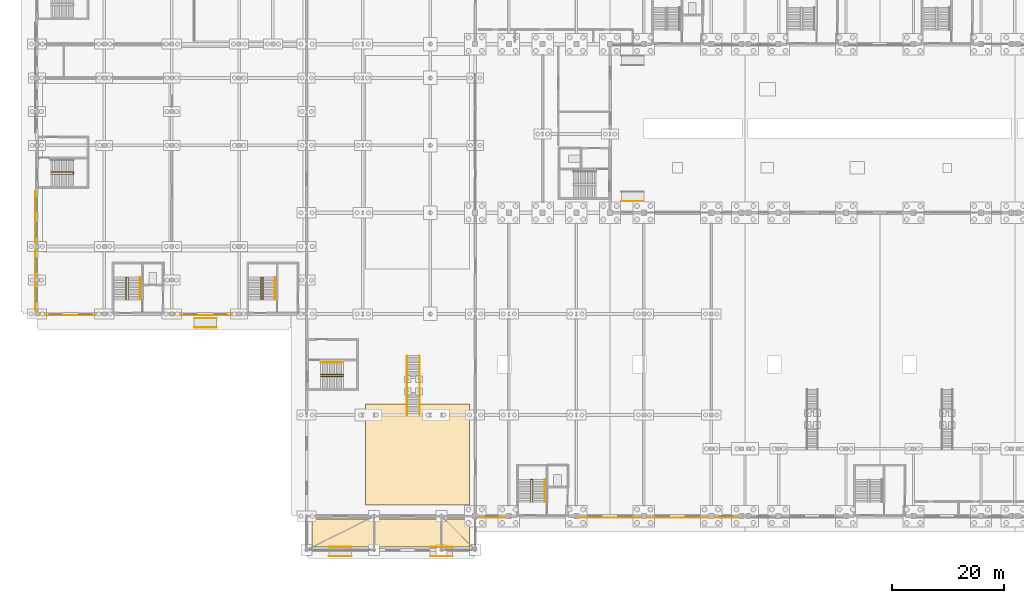
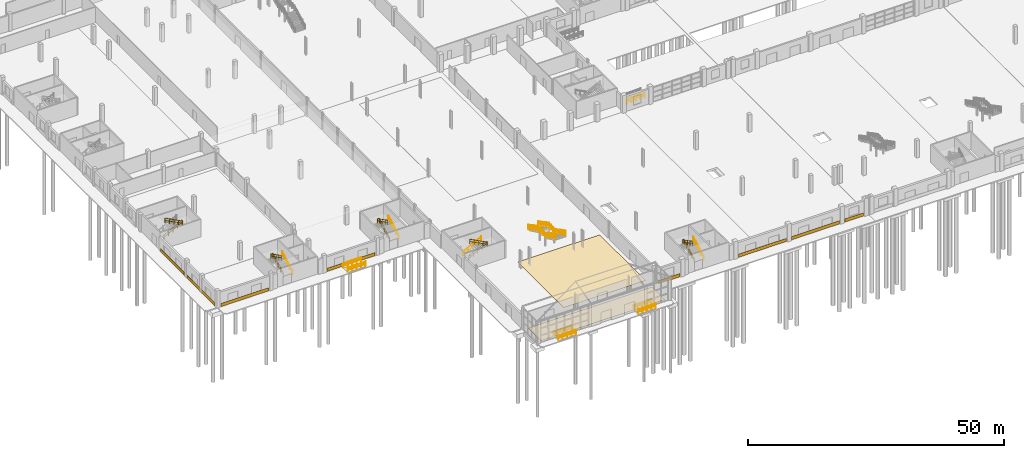
# One storey, part 72 of 77: 18 railings, 10 coverings.
"""IFC4 building model written with IfcOpenShell, lengths in metres."""

from ifc_helpers import new_model, si_unit, direction, frame, origin, origin_2d, place, context, subcontext, project, spatial, polyline, rectangle, circle, outline, extrude, material, layer, layer_set, type_object, element, save


model = new_model("IFC4")

# Units and contexts
model_context = context("Model", 3, precision=1e-05, world=origin(), true_north=direction((0.0, 1.0)))
body_context = subcontext(model_context, "Body", "Model", "MODEL_VIEW")
ifc_project = project(units=[si_unit("LENGTHUNIT", "METRE"), si_unit("AREAUNIT", "SQUARE_METRE"), si_unit("VOLUMEUNIT", "CUBIC_METRE"), si_unit("PLANEANGLEUNIT", "RADIAN"), si_unit("MASSUNIT", "GRAM", prefix="KILO")], contexts=[model_context])

# Site, building, storey
site_placement = place(None, origin())
site = spatial("IfcSite", under=ifc_project, at=site_placement, CompositionType="ELEMENT")
building_placement = place(site_placement, origin())
building = spatial("IfcBuilding", under=site, at=building_placement, Name="Zilviju Railside Exhibition Hall", CompositionType="ELEMENT")
storey_placement = place(building_placement, origin())
storey = spatial("IfcBuildingStorey", under=building, at=storey_placement, Name="L01", CompositionType="ELEMENT", Elevation=0.0)

# Coverings
ifc_material_1 = material(Name="Rusticated Baltic granite plinth ashlar cladding", Category="masonry")
ifc_layer_1 = layer(ifc_material_1, 0.050048828125)
ifc_layer_set_1 = layer_set([ifc_layer_1], Name="Rusticated Baltic granite plinth ashlar cladding")
covering_type_1 = type_object("IfcCoveringType", Name="COV-CLAD-GRANITE", PredefinedType="CLADDING", material=ifc_layer_set_1)
covering_1_placement = place(storey_placement, frame((81.0, -0.260009765625, 0.074951171875), z_axis=(0.0, 0.0, 1.0), x_axis=(-1.0, 0.0, 0.0)))
element("IfcCovering", 1, at=covering_1_placement, inside=storey, type_object=covering_type_1, Name="Jugendstils Facade Cladding Band L01 001", PredefinedType="CLADDING", context=body_context, shape_type="SweptSolid", body=[
    extrude(rectangle(XDim=4.800048828125, YDim=0.050048828125, at=origin_2d()), origin(), (0.0, 0.0, 1.0), 0.75),
])
for number, where, z_axis, x_axis, name in (
    (2, (102.0, -0.260009765625, 0.074951171875), (0.0, 0.0, 1.0), (-1.0, 0.0, 0.0), "Jugendstils Facade Cladding Band L01 002"),
    (3, (114.0, -0.260009765625, 0.074951171875), (0.0, 0.0, 1.0), (-1.0, 0.0, 0.0), "Jugendstils Facade Cladding Band L01 003"),
):
    element("IfcCovering", number, at=place(storey_placement, frame(where, z_axis=z_axis, x_axis=x_axis)), inside=storey, type_object=covering_type_1, Name=name, PredefinedType="CLADDING", context=body_context, shape_type="SweptSolid", body=[
        extrude(rectangle(XDim=10.800048828125, YDim=0.050048828125, at=origin_2d()), origin(), (0.0, 0.0, 1.0), 0.75),
    ])
covering_2_placement = place(storey_placement, frame((122.699951171875, -0.260009765625, 0.074951171875), z_axis=(0.0, 0.0, 1.0), x_axis=(-1.0, 0.0, 0.0)))
element("IfcCovering", 4, at=covering_2_placement, inside=storey, type_object=covering_type_1, Name="Jugendstils Facade Cladding Band L01 004", PredefinedType="CLADDING", context=body_context, shape_type="SweptSolid", body=[
    extrude(rectangle(XDim=4.199951171875, YDim=0.050048828125, at=origin_2d()), origin(), (0.0, 0.0, 1.0), 0.75),
])
for number, where, z_axis, x_axis, name in (
    (5, (6.0, 35.7548828125, 0.074951171875), (0.0, 0.0, 1.0), (-1.0, 0.0, 0.0), "Jugendstils Facade Cladding Band L01 019"),
    (6, (30.0, 35.7548828125, 0.074951171875), (0.0, 0.0, 1.0), (-1.0, 0.0, 0.0), "Jugendstils Facade Cladding Band L01 020"),
    (7, (-0.2451171875, 42.0, 0.074951171875), (0.0, 0.0, 1.0), (0.0, 1.0, 0.0), "Jugendstils Facade Cladding Band L01 021"),
):
    element("IfcCovering", number, at=place(storey_placement, frame(where, z_axis=z_axis, x_axis=x_axis)), inside=storey, type_object=covering_type_1, Name=name, PredefinedType="CLADDING", context=body_context, shape_type="SweptSolid", body=[
        extrude(rectangle(XDim=10.800048828125, YDim=0.050048828125, at=origin_2d()), origin(), (0.0, 0.0, 1.0), 0.75),
    ])
covering_3_placement = place(storey_placement, frame((-0.2451171875, 53.199951171875, 0.074951171875), z_axis=(0.0, 0.0, 1.0), x_axis=(0.0, 1.0, 0.0)))
element("IfcCovering", 8, at=covering_3_placement, inside=storey, type_object=covering_type_1, Name="Jugendstils Facade Cladding Band L01 022", PredefinedType="CLADDING", context=body_context, shape_type="SweptSolid", body=[
    extrude(rectangle(XDim=9.199951171875, YDim=0.050048828125, at=origin_2d()), origin(), (0.0, 0.0, 1.0), 0.75),
])
ifc_material_2 = material(Name="Polished Baltic terrazzo concourse flooring", Category="masonry")
ifc_layer_2 = layer(ifc_material_2, 0.02490234375)
ifc_layer_set_2 = layer_set([ifc_layer_2], Name="Polished Baltic terrazzo concourse flooring")
covering_type_2 = type_object("IfcCoveringType", Name="COV-FLR-TERRAZZO", PredefinedType="FLOORING", material=ifc_layer_set_2)
covering_4_placement = place(storey_placement, origin())
element("IfcCovering", 9, at=covering_4_placement, inside=storey, type_object=covering_type_2, Name="Entrance Porch Terrazzo Flooring", PredefinedType="FLOORING", context=body_context, shape_type="SweptSolid", body=[
    extrude(outline(polyline([(49.0, -5.5), (77.0, -5.5), (77.0, -0.5), (49.0, -0.5), (49.0, -5.5)])), origin(), (0.0, 0.0, 1.0), 0.02490234375),
])
covering_5_placement = place(storey_placement, origin())
element("IfcCovering", 10, at=covering_5_placement, inside=storey, type_object=covering_type_2, Name="Registration Foyer Terrazzo Flooring", PredefinedType="FLOORING", context=body_context, shape_type="SweptSolid", body=[
    extrude(outline(polyline([(58.5, 2.0), (77.0, 2.0), (77.0, 20.0), (58.5, 20.0), (58.5, 2.0)])), origin(), (0.0, 0.0, 1.0), 0.02490234375),
])

# Railings
ifc_material_3 = material(Name="Ornamental wrought-iron Jugendstils gallery balustrade", Category="steel")
railing_type_1 = type_object("IfcRailingType", Name="RL-BALUSTRADE-1120", PredefinedType="BALUSTRADE", material=ifc_material_3)
railing_1_placement = place(storey_placement, frame((65.860107421875, 28.56005859375, 0.0)))
element("IfcRailing", 11, at=railing_1_placement, inside=storey, type_object=railing_type_1, Name="Feature Stair ST-19 Ornamental Balustrade L", PredefinedType="BALUSTRADE", context=body_context, shape_type="SweptSolid", body=[
    extrude(circle(Radius=0.02392578125, at=origin_2d()), frame((0.0, -0.019287109375, 1.106201171875), z_axis=(0.0, -0.88681272381, 0.462128978628), x_axis=(1.0, 0.0, 0.0)), (0.0, 0.0, 1.0), 4.500732421875),
    extrude(circle(Radius=0.02392578125, at=origin_2d()), frame((0.0, -0.019287109375, 0.570068359375), z_axis=(0.0, -0.88681272381, 0.462128978628), x_axis=(1.0, 0.0, 0.0)), (0.0, 0.0, 1.0), 4.500732421875),
    extrude(circle(Radius=0.02392578125, at=origin_2d()), frame((0.0, -4.0517578125, 3.1962890625), z_axis=(0.0, -1.0, 0.0), x_axis=(1.0, 0.0, 0.0)), (0.0, 0.0, 1.0), 2.456298828125),
    extrude(circle(Radius=0.02392578125, at=origin_2d()), frame((0.0, -4.0517578125, 2.66015625), z_axis=(0.0, -1.0, 0.0), x_axis=(1.0, 0.0, 0.0)), (0.0, 0.0, 1.0), 2.456298828125),
    extrude(circle(Radius=0.02392578125, at=origin_2d()), frame((0.0, -6.54931640625, 3.206298828125), z_axis=(0.0, -0.886834740388, 0.462086726969), x_axis=(1.0, 0.0, 0.0)), (0.0, 0.0, 1.0), 4.500732421875),
    extrude(circle(Radius=0.02392578125, at=origin_2d()), frame((0.0, -6.54931640625, 2.670166015625), z_axis=(0.0, -0.886834740388, 0.462086726969), x_axis=(1.0, 0.0, 0.0)), (0.0, 0.0, 1.0), 4.500732421875),
    extrude(circle(Radius=0.02099609375, at=origin_2d()), origin(), (0.0, 0.0, 1.0), 1.1201171875),
    extrude(circle(Radius=0.02099609375, at=origin_2d()), frame((0.0, -1.007568359375, 0.52490234375)), (0.0, 0.0, 1.0), 1.1201171875),
    extrude(circle(Radius=0.02099609375, at=origin_2d()), frame((0.0, -2.01513671875, 1.050048828125)), (0.0, 0.0, 1.0), 1.1201171875),
    extrude(circle(Radius=0.02099609375, at=origin_2d()), frame((0.0, -3.0224609375, 1.5751953125)), (0.0, 0.0, 1.0), 1.1201171875),
    extrude(circle(Radius=0.02099609375, at=origin_2d()), frame((0.0, -4.030029296875, 2.10009765625)), (0.0, 0.0, 1.0), 1.1201171875),
    extrude(circle(Radius=0.02099609375, at=origin_2d()), frame((0.0, -4.86328125, 2.10009765625)), (0.0, 0.0, 1.0), 1.1201171875),
    extrude(circle(Radius=0.02099609375, at=origin_2d()), frame((0.0, -5.69677734375, 2.10009765625)), (0.0, 0.0, 1.0), 1.1201171875),
    extrude(circle(Radius=0.02099609375, at=origin_2d()), frame((0.0, -6.530029296875, 2.10009765625)), (0.0, 0.0, 1.0), 1.1201171875),
    extrude(circle(Radius=0.02099609375, at=origin_2d()), frame((0.0, -7.53759765625, 2.625)), (0.0, 0.0, 1.0), 1.1201171875),
    extrude(circle(Radius=0.02099609375, at=origin_2d()), frame((0.0, -8.544921875, 3.14990234375)), (0.0, 0.0, 1.0), 1.1201171875),
    extrude(circle(Radius=0.02099609375, at=origin_2d()), frame((0.0, -9.552490234375, 3.675048828125)), (0.0, 0.0, 1.0), 1.1201171875),
    extrude(circle(Radius=0.02099609375, at=origin_2d()), frame((0.0, -10.56005859375, 4.199951171875)), (0.0, 0.0, 1.0), 1.1201171875),
])
railing_2_placement = place(storey_placement, frame((68.139892578125, 28.56005859375, 0.0)))
element("IfcRailing", 12, at=railing_2_placement, inside=storey, type_object=railing_type_1, Name="Feature Stair ST-19 Ornamental Balustrade R", PredefinedType="BALUSTRADE", context=body_context, shape_type="SweptSolid", body=[
    extrude(circle(Radius=0.02392578125, at=origin_2d()), frame((0.0, -0.019287109375, 1.106201171875), z_axis=(0.0, -0.88681272381, 0.462128978628), x_axis=(1.0, 0.0, 0.0)), (0.0, 0.0, 1.0), 4.500732421875),
    extrude(circle(Radius=0.02392578125, at=origin_2d()), frame((0.0, -0.019287109375, 0.570068359375), z_axis=(0.0, -0.88681272381, 0.462128978628), x_axis=(1.0, 0.0, 0.0)), (0.0, 0.0, 1.0), 4.500732421875),
    extrude(circle(Radius=0.02392578125, at=origin_2d()), frame((0.0, -4.0517578125, 3.1962890625), z_axis=(0.0, -1.0, 0.0), x_axis=(1.0, 0.0, 0.0)), (0.0, 0.0, 1.0), 2.456298828125),
    extrude(circle(Radius=0.02392578125, at=origin_2d()), frame((0.0, -4.0517578125, 2.66015625), z_axis=(0.0, -1.0, 0.0), x_axis=(1.0, 0.0, 0.0)), (0.0, 0.0, 1.0), 2.456298828125),
    extrude(circle(Radius=0.02392578125, at=origin_2d()), frame((0.0, -6.54931640625, 3.206298828125), z_axis=(0.0, -0.886834740388, 0.462086726969), x_axis=(1.0, 0.0, 0.0)), (0.0, 0.0, 1.0), 4.500732421875),
    extrude(circle(Radius=0.02392578125, at=origin_2d()), frame((0.0, -6.54931640625, 2.670166015625), z_axis=(0.0, -0.886834740388, 0.462086726969), x_axis=(1.0, 0.0, 0.0)), (0.0, 0.0, 1.0), 4.500732421875),
    extrude(circle(Radius=0.02099609375, at=origin_2d()), origin(), (0.0, 0.0, 1.0), 1.1201171875),
    extrude(circle(Radius=0.02099609375, at=origin_2d()), frame((0.0, -1.007568359375, 0.52490234375)), (0.0, 0.0, 1.0), 1.1201171875),
    extrude(circle(Radius=0.02099609375, at=origin_2d()), frame((0.0, -2.01513671875, 1.050048828125)), (0.0, 0.0, 1.0), 1.1201171875),
    extrude(circle(Radius=0.02099609375, at=origin_2d()), frame((0.0, -3.0224609375, 1.5751953125)), (0.0, 0.0, 1.0), 1.1201171875),
    extrude(circle(Radius=0.02099609375, at=origin_2d()), frame((0.0, -4.030029296875, 2.10009765625)), (0.0, 0.0, 1.0), 1.1201171875),
    extrude(circle(Radius=0.02099609375, at=origin_2d()), frame((0.0, -4.86328125, 2.10009765625)), (0.0, 0.0, 1.0), 1.1201171875),
    extrude(circle(Radius=0.02099609375, at=origin_2d()), frame((0.0, -5.69677734375, 2.10009765625)), (0.0, 0.0, 1.0), 1.1201171875),
    extrude(circle(Radius=0.02099609375, at=origin_2d()), frame((0.0, -6.530029296875, 2.10009765625)), (0.0, 0.0, 1.0), 1.1201171875),
    extrude(circle(Radius=0.02099609375, at=origin_2d()), frame((0.0, -7.53759765625, 2.625)), (0.0, 0.0, 1.0), 1.1201171875),
    extrude(circle(Radius=0.02099609375, at=origin_2d()), frame((0.0, -8.544921875, 3.14990234375)), (0.0, 0.0, 1.0), 1.1201171875),
    extrude(circle(Radius=0.02099609375, at=origin_2d()), frame((0.0, -9.552490234375, 3.675048828125)), (0.0, 0.0, 1.0), 1.1201171875),
    extrude(circle(Radius=0.02099609375, at=origin_2d()), frame((0.0, -10.56005859375, 4.199951171875)), (0.0, 0.0, 1.0), 1.1201171875),
])
ifc_material_4 = material(Name="Wrought-iron Jugendstils terrace guardrail", Category="steel")
railing_type_2 = type_object("IfcRailingType", Name="RL-GUARD-1120", PredefinedType="GUARDRAIL", material=ifc_material_4)
for number, where, name in (
    (13, (52.0, -7.139892578125, 0.0), "Porch West Accessible Approach Ramp Guardrail L"),
    (14, (52.0, -5.4599609375, 0.0), "Porch West Accessible Approach Ramp Guardrail R"),
    (15, (70.0, -7.139892578125, 0.0), "Porch East Accessible Approach Ramp Guardrail L"),
    (16, (70.0, -5.4599609375, 0.0), "Porch East Accessible Approach Ramp Guardrail R"),
    (17, (104.0, 56.06005859375, 0.0), "Garden Court South Accessible Ramp Guardrail L"),
    (18, (28.0, 33.56005859375, 0.0), "Congress Forecourt Accessible Ramp Guardrail L"),
    (19, (28.0, 35.239990234375, 0.0), "Congress Forecourt Accessible Ramp Guardrail R"),
):
    element("IfcRailing", number, at=place(storey_placement, frame(where)), inside=storey, type_object=railing_type_2, Name=name, PredefinedType="GUARDRAIL", context=body_context, shape_type="SweptSolid", body=[
        extrude(circle(Radius=0.02392578125, at=origin_2d()), frame((0.021728515625, 0.0, 1.096435546875), z_axis=(0.999887299221, 0.0, 0.015012956275), x_axis=(0.0, 1.0, 0.0)), (0.0, 0.0, 1.0), 3.956787109375),
        extrude(circle(Radius=0.02392578125, at=origin_2d()), frame((0.021728515625, 0.0, 0.560302734375), z_axis=(0.999887299221, 0.0, 0.015012956275), x_axis=(0.0, 1.0, 0.0)), (0.0, 0.0, 1.0), 3.956787109375),
        extrude(circle(Radius=0.02099609375, at=origin_2d()), origin(), (0.0, 0.0, 1.0), 1.1201171875),
        extrude(circle(Radius=0.02099609375, at=origin_2d()), frame((1.0, 0.0, 0.01513671875)), (0.0, 0.0, 1.0), 1.1201171875),
        extrude(circle(Radius=0.02099609375, at=origin_2d()), frame((2.0, 0.0, 0.030029296875)), (0.0, 0.0, 1.0), 1.1201171875),
        extrude(circle(Radius=0.02099609375, at=origin_2d()), frame((3.0, 0.0, 0.044921875)), (0.0, 0.0, 1.0), 1.1201171875),
        extrude(circle(Radius=0.02099609375, at=origin_2d()), frame((4.0, 0.0, 0.06005859375)), (0.0, 0.0, 1.0), 1.1201171875),
    ])
ifc_material_5 = material(Name="Brushed bronze tubular stair handrail", Category="steel")
railing_type_3 = type_object("IfcRailingType", Name="RL-HANDRAIL-920", PredefinedType="HANDRAIL", material=ifc_material_5)
railing_3_placement = place(storey_placement, frame((90.360107421875, 2.5, 0.0)))
element("IfcRailing", 20, at=railing_3_placement, inside=storey, type_object=railing_type_3, Name="Core C01 South Hall West Stair Wall Handrail L01", PredefinedType="HANDRAIL", context=body_context, shape_type="SweptSolid", body=[
    extrude(circle(Radius=0.02392578125, at=origin_2d()), frame((0.0, 0.019287109375, 0.906005859375), z_axis=(0.0, 0.88681272381, 0.462128978628), x_axis=(-1.0, 0.0, 0.0)), (0.0, 0.0, 1.0), 4.500732421875),
    extrude(circle(Radius=0.02099609375, at=origin_2d()), origin(), (0.0, 0.0, 1.0), 0.919921875),
    extrude(circle(Radius=0.02099609375, at=origin_2d()), frame((0.0, 1.007568359375, 0.52490234375)), (0.0, 0.0, 1.0), 0.919921875),
    extrude(circle(Radius=0.02099609375, at=origin_2d()), frame((0.0, 2.01513671875, 1.050048828125)), (0.0, 0.0, 1.0), 0.919921875),
    extrude(circle(Radius=0.02099609375, at=origin_2d()), frame((0.0, 3.0224609375, 1.5751953125)), (0.0, 0.0, 1.0), 0.919921875),
    extrude(circle(Radius=0.02099609375, at=origin_2d()), frame((0.0, 4.030029296875, 2.10009765625)), (0.0, 0.0, 1.0), 0.919921875),
])
railing_4_placement = place(storey_placement, frame((50.5, 27.35009765625, 0.0)))
element("IfcRailing", 21, at=railing_4_placement, inside=storey, type_object=railing_type_3, Name="Core C11 Winter Concourse Forecourt Stair Wall Handrail L01", PredefinedType="HANDRAIL", context=body_context, shape_type="SweptSolid", body=[
    extrude(circle(Radius=0.02392578125, at=origin_2d()), frame((0.019287109375, 0.0, 0.906005859375), z_axis=(0.88681272381, 0.0, 0.462128978628), x_axis=(0.0, 1.0, 0.0)), (0.0, 0.0, 1.0), 4.500732421875),
    extrude(circle(Radius=0.02099609375, at=origin_2d()), origin(), (0.0, 0.0, 1.0), 0.919921875),
    extrude(circle(Radius=0.02099609375, at=origin_2d()), frame((1.007568359375, 0.0, 0.52490234375)), (0.0, 0.0, 1.0), 0.919921875),
    extrude(circle(Radius=0.02099609375, at=origin_2d()), frame((2.01513671875, 0.0, 1.050048828125)), (0.0, 0.0, 1.0), 0.919921875),
    extrude(circle(Radius=0.02099609375, at=origin_2d()), frame((3.0224609375, 0.0, 1.5751953125)), (0.0, 0.0, 1.0), 0.919921875),
    extrude(circle(Radius=0.02099609375, at=origin_2d()), frame((4.030029296875, 0.0, 2.10009765625)), (0.0, 0.0, 1.0), 0.919921875),
])
for number, where, name in (
    (22, (18.340087890625, 38.5, 0.0), "Core C12 Congress Plenary SouthW Stair Wall Handrail L01"),
    (23, (42.360107421875, 38.5, 0.0), "Core C13 Congress Plenary SouthE Stair Wall Handrail L01"),
):
    element("IfcRailing", number, at=place(storey_placement, frame(where)), inside=storey, type_object=railing_type_3, Name=name, PredefinedType="HANDRAIL", context=body_context, shape_type="SweptSolid", body=[
        extrude(circle(Radius=0.02392578125, at=origin_2d()), frame((0.0, 0.019287109375, 0.906005859375), z_axis=(0.0, 0.88681272381, 0.462128978628), x_axis=(-1.0, 0.0, 0.0)), (0.0, 0.0, 1.0), 4.500732421875),
        extrude(circle(Radius=0.02099609375, at=origin_2d()), origin(), (0.0, 0.0, 1.0), 0.919921875),
        extrude(circle(Radius=0.02099609375, at=origin_2d()), frame((0.0, 1.007568359375, 0.52490234375)), (0.0, 0.0, 1.0), 0.919921875),
        extrude(circle(Radius=0.02099609375, at=origin_2d()), frame((0.0, 2.01513671875, 1.050048828125)), (0.0, 0.0, 1.0), 0.919921875),
        extrude(circle(Radius=0.02099609375, at=origin_2d()), frame((0.0, 3.0224609375, 1.5751953125)), (0.0, 0.0, 1.0), 0.919921875),
        extrude(circle(Radius=0.02099609375, at=origin_2d()), frame((0.0, 4.030029296875, 2.10009765625)), (0.0, 0.0, 1.0), 0.919921875),
    ])
ifc_material_6 = material(Name="Wrought-iron and laminated-glass atrium guardrail", Category="glass")
railing_type_4 = type_object("IfcRailingType", Name="RL-INT-GUARD-1120", PredefinedType="GUARDRAIL", material=ifc_material_6)
railing_5_placement = place(storey_placement, frame((88.22998046875, 2.5, 0.0)))
element("IfcRailing", 24, at=railing_5_placement, inside=storey, type_object=railing_type_4, Name="Core C01 South Hall West Stair Well Guardrail L01", PredefinedType="GUARDRAIL", context=body_context, shape_type="SweptSolid", body=[
    extrude(circle(Radius=0.02392578125, at=origin_2d()), frame((0.0, 0.019287109375, 1.106201171875), z_axis=(0.0, 0.88681272381, 0.462128978628), x_axis=(-1.0, 0.0, 0.0)), (0.0, 0.0, 1.0), 4.500732421875),
    extrude(circle(Radius=0.02392578125, at=origin_2d()), frame((0.0, 0.019287109375, 0.570068359375), z_axis=(0.0, 0.88681272381, 0.462128978628), x_axis=(-1.0, 0.0, 0.0)), (0.0, 0.0, 1.0), 4.500732421875),
    extrude(circle(Radius=0.02392578125, at=origin_2d()), frame((-0.021728515625, 4.030029296875, 3.1962890625), z_axis=(-1.0, 0.0, 0.0), x_axis=(0.0, -1.0, 0.0)), (0.0, 0.0, 1.0), 0.316162109375),
    extrude(circle(Radius=0.02392578125, at=origin_2d()), frame((-0.021728515625, 4.030029296875, 2.66015625), z_axis=(-1.0, 0.0, 0.0), x_axis=(0.0, -1.0, 0.0)), (0.0, 0.0, 1.0), 0.316162109375),
    extrude(circle(Radius=0.02392578125, at=origin_2d()), frame((-0.35986328125, 4.0107421875, 3.206298828125), z_axis=(0.0, -0.886834740388, 0.462086726969), x_axis=(1.0, 0.0, 0.0)), (0.0, 0.0, 1.0), 4.500732421875),
    extrude(circle(Radius=0.02392578125, at=origin_2d()), frame((-0.35986328125, 4.0107421875, 2.670166015625), z_axis=(0.0, -0.886834740388, 0.462086726969), x_axis=(1.0, 0.0, 0.0)), (0.0, 0.0, 1.0), 4.500732421875),
    extrude(circle(Radius=0.02099609375, at=origin_2d()), origin(), (0.0, 0.0, 1.0), 1.1201171875),
    extrude(circle(Radius=0.02099609375, at=origin_2d()), frame((0.0, 1.007568359375, 0.52490234375)), (0.0, 0.0, 1.0), 1.1201171875),
    extrude(circle(Radius=0.02099609375, at=origin_2d()), frame((0.0, 2.01513671875, 1.050048828125)), (0.0, 0.0, 1.0), 1.1201171875),
    extrude(circle(Radius=0.02099609375, at=origin_2d()), frame((0.0, 3.0224609375, 1.5751953125)), (0.0, 0.0, 1.0), 1.1201171875),
    extrude(circle(Radius=0.02099609375, at=origin_2d()), frame((0.0, 4.030029296875, 2.10009765625)), (0.0, 0.0, 1.0), 1.1201171875),
    extrude(circle(Radius=0.02099609375, at=origin_2d()), frame((-0.35986328125, 4.030029296875, 2.10009765625)), (0.0, 0.0, 1.0), 1.1201171875),
    extrude(circle(Radius=0.02099609375, at=origin_2d()), frame((-0.35986328125, 3.0224609375, 2.625)), (0.0, 0.0, 1.0), 1.1201171875),
    extrude(circle(Radius=0.02099609375, at=origin_2d()), frame((-0.35986328125, 2.01513671875, 3.14990234375)), (0.0, 0.0, 1.0), 1.1201171875),
    extrude(circle(Radius=0.02099609375, at=origin_2d()), frame((-0.35986328125, 1.007568359375, 3.675048828125)), (0.0, 0.0, 1.0), 1.1201171875),
    extrude(circle(Radius=0.02099609375, at=origin_2d()), frame((-0.35986328125, 0.0, 4.199951171875)), (0.0, 0.0, 1.0), 1.1201171875),
])
railing_6_placement = place(storey_placement, frame((50.5, 25.239990234375, 0.0)))
element("IfcRailing", 25, at=railing_6_placement, inside=storey, type_object=railing_type_4, Name="Core C11 Winter Concourse Forecourt Stair Well Guardrail L01", PredefinedType="GUARDRAIL", context=body_context, shape_type="SweptSolid", body=[
    extrude(circle(Radius=0.02392578125, at=origin_2d()), frame((0.019287109375, 0.0, 1.106201171875), z_axis=(0.88681272381, 0.0, 0.462128978628), x_axis=(0.0, 1.0, 0.0)), (0.0, 0.0, 1.0), 4.500732421875),
    extrude(circle(Radius=0.02392578125, at=origin_2d()), frame((0.019287109375, 0.0, 0.570068359375), z_axis=(0.88681272381, 0.0, 0.462128978628), x_axis=(0.0, 1.0, 0.0)), (0.0, 0.0, 1.0), 4.500732421875),
    extrude(circle(Radius=0.02392578125, at=origin_2d()), frame((4.030029296875, -0.021728515625, 3.1962890625), z_axis=(0.0, -1.0, 0.0), x_axis=(1.0, 0.0, 0.0)), (0.0, 0.0, 1.0), 0.336181640625),
    extrude(circle(Radius=0.02392578125, at=origin_2d()), frame((4.030029296875, -0.021728515625, 2.66015625), z_axis=(0.0, -1.0, 0.0), x_axis=(1.0, 0.0, 0.0)), (0.0, 0.0, 1.0), 0.336181640625),
    extrude(circle(Radius=0.02392578125, at=origin_2d()), frame((4.0107421875, -0.3798828125, 3.206298828125), z_axis=(-0.886834740388, 0.0, 0.462086726969), x_axis=(0.0, -1.0, 0.0)), (0.0, 0.0, 1.0), 4.500732421875),
    extrude(circle(Radius=0.02392578125, at=origin_2d()), frame((4.0107421875, -0.3798828125, 2.670166015625), z_axis=(-0.886834740388, 0.0, 0.462086726969), x_axis=(0.0, -1.0, 0.0)), (0.0, 0.0, 1.0), 4.500732421875),
    extrude(circle(Radius=0.02099609375, at=origin_2d()), origin(), (0.0, 0.0, 1.0), 1.1201171875),
    extrude(circle(Radius=0.02099609375, at=origin_2d()), frame((1.007568359375, 0.0, 0.52490234375)), (0.0, 0.0, 1.0), 1.1201171875),
    extrude(circle(Radius=0.02099609375, at=origin_2d()), frame((2.01513671875, 0.0, 1.050048828125)), (0.0, 0.0, 1.0), 1.1201171875),
    extrude(circle(Radius=0.02099609375, at=origin_2d()), frame((3.0224609375, 0.0, 1.5751953125)), (0.0, 0.0, 1.0), 1.1201171875),
    extrude(circle(Radius=0.02099609375, at=origin_2d()), frame((4.030029296875, 0.0, 2.10009765625)), (0.0, 0.0, 1.0), 1.1201171875),
    extrude(circle(Radius=0.02099609375, at=origin_2d()), frame((4.030029296875, -0.3798828125, 2.10009765625)), (0.0, 0.0, 1.0), 1.1201171875),
    extrude(circle(Radius=0.02099609375, at=origin_2d()), frame((3.0224609375, -0.3798828125, 2.625)), (0.0, 0.0, 1.0), 1.1201171875),
    extrude(circle(Radius=0.02099609375, at=origin_2d()), frame((2.01513671875, -0.3798828125, 3.14990234375)), (0.0, 0.0, 1.0), 1.1201171875),
    extrude(circle(Radius=0.02099609375, at=origin_2d()), frame((1.007568359375, -0.3798828125, 3.675048828125)), (0.0, 0.0, 1.0), 1.1201171875),
    extrude(circle(Radius=0.02099609375, at=origin_2d()), frame((0.0, -0.3798828125, 4.199951171875)), (0.0, 0.0, 1.0), 1.1201171875),
])
railing_7_placement = place(storey_placement, frame((16.25, 38.5, 0.0)))
element("IfcRailing", 26, at=railing_7_placement, inside=storey, type_object=railing_type_4, Name="Core C12 Congress Plenary SouthW Stair Well Guardrail L01", PredefinedType="GUARDRAIL", context=body_context, shape_type="SweptSolid", body=[
    extrude(circle(Radius=0.02392578125, at=origin_2d()), frame((0.0, 0.019287109375, 1.106201171875), z_axis=(0.0, 0.88681272381, 0.462128978628), x_axis=(-1.0, 0.0, 0.0)), (0.0, 0.0, 1.0), 4.500732421875),
    extrude(circle(Radius=0.02392578125, at=origin_2d()), frame((0.0, 0.019287109375, 0.570068359375), z_axis=(0.0, 0.88681272381, 0.462128978628), x_axis=(-1.0, 0.0, 0.0)), (0.0, 0.0, 1.0), 4.500732421875),
    extrude(circle(Radius=0.02392578125, at=origin_2d()), frame((-0.021728515625, 4.030029296875, 3.1962890625), z_axis=(-1.0, 0.0, 0.0), x_axis=(0.0, -1.0, 0.0)), (0.0, 0.0, 1.0), 0.356201171875),
    extrude(circle(Radius=0.02392578125, at=origin_2d()), frame((-0.021728515625, 4.030029296875, 2.66015625), z_axis=(-1.0, 0.0, 0.0), x_axis=(0.0, -1.0, 0.0)), (0.0, 0.0, 1.0), 0.356201171875),
    extrude(circle(Radius=0.02392578125, at=origin_2d()), frame((-0.39990234375, 4.0107421875, 3.206298828125), z_axis=(0.0, -0.886834740388, 0.462086726969), x_axis=(1.0, 0.0, 0.0)), (0.0, 0.0, 1.0), 4.500732421875),
    extrude(circle(Radius=0.02392578125, at=origin_2d()), frame((-0.39990234375, 4.0107421875, 2.670166015625), z_axis=(0.0, -0.886834740388, 0.462086726969), x_axis=(1.0, 0.0, 0.0)), (0.0, 0.0, 1.0), 4.500732421875),
    extrude(circle(Radius=0.02099609375, at=origin_2d()), origin(), (0.0, 0.0, 1.0), 1.1201171875),
    extrude(circle(Radius=0.02099609375, at=origin_2d()), frame((0.0, 1.007568359375, 0.52490234375)), (0.0, 0.0, 1.0), 1.1201171875),
    extrude(circle(Radius=0.02099609375, at=origin_2d()), frame((0.0, 2.01513671875, 1.050048828125)), (0.0, 0.0, 1.0), 1.1201171875),
    extrude(circle(Radius=0.02099609375, at=origin_2d()), frame((0.0, 3.0224609375, 1.5751953125)), (0.0, 0.0, 1.0), 1.1201171875),
    extrude(circle(Radius=0.02099609375, at=origin_2d()), frame((0.0, 4.030029296875, 2.10009765625)), (0.0, 0.0, 1.0), 1.1201171875),
    extrude(circle(Radius=0.02099609375, at=origin_2d()), frame((-0.39990234375, 4.030029296875, 2.10009765625)), (0.0, 0.0, 1.0), 1.1201171875),
    extrude(circle(Radius=0.02099609375, at=origin_2d()), frame((-0.39990234375, 3.0224609375, 2.625)), (0.0, 0.0, 1.0), 1.1201171875),
    extrude(circle(Radius=0.02099609375, at=origin_2d()), frame((-0.39990234375, 2.01513671875, 3.14990234375)), (0.0, 0.0, 1.0), 1.1201171875),
    extrude(circle(Radius=0.02099609375, at=origin_2d()), frame((-0.39990234375, 1.007568359375, 3.675048828125)), (0.0, 0.0, 1.0), 1.1201171875),
    extrude(circle(Radius=0.02099609375, at=origin_2d()), frame((-0.39990234375, 0.0, 4.199951171875)), (0.0, 0.0, 1.0), 1.1201171875),
])
railing_8_placement = place(storey_placement, frame((40.22998046875, 38.5, 0.0)))
element("IfcRailing", 27, at=railing_8_placement, inside=storey, type_object=railing_type_4, Name="Core C13 Congress Plenary SouthE Stair Well Guardrail L01", PredefinedType="GUARDRAIL", context=body_context, shape_type="SweptSolid", body=[
    extrude(circle(Radius=0.02392578125, at=origin_2d()), frame((0.0, 0.019287109375, 1.106201171875), z_axis=(0.0, 0.88681272381, 0.462128978628), x_axis=(-1.0, 0.0, 0.0)), (0.0, 0.0, 1.0), 4.500732421875),
    extrude(circle(Radius=0.02392578125, at=origin_2d()), frame((0.0, 0.019287109375, 0.570068359375), z_axis=(0.0, 0.88681272381, 0.462128978628), x_axis=(-1.0, 0.0, 0.0)), (0.0, 0.0, 1.0), 4.500732421875),
    extrude(circle(Radius=0.02392578125, at=origin_2d()), frame((-0.021728515625, 4.030029296875, 3.1962890625), z_axis=(-1.0, 0.0, 0.0), x_axis=(0.0, -1.0, 0.0)), (0.0, 0.0, 1.0), 0.316162109375),
    extrude(circle(Radius=0.02392578125, at=origin_2d()), frame((-0.021728515625, 4.030029296875, 2.66015625), z_axis=(-1.0, 0.0, 0.0), x_axis=(0.0, -1.0, 0.0)), (0.0, 0.0, 1.0), 0.316162109375),
    extrude(circle(Radius=0.02392578125, at=origin_2d()), frame((-0.35986328125, 4.0107421875, 3.206298828125), z_axis=(0.0, -0.886834740388, 0.462086726969), x_axis=(1.0, 0.0, 0.0)), (0.0, 0.0, 1.0), 4.500732421875),
    extrude(circle(Radius=0.02392578125, at=origin_2d()), frame((-0.35986328125, 4.0107421875, 2.670166015625), z_axis=(0.0, -0.886834740388, 0.462086726969), x_axis=(1.0, 0.0, 0.0)), (0.0, 0.0, 1.0), 4.500732421875),
    extrude(circle(Radius=0.02099609375, at=origin_2d()), origin(), (0.0, 0.0, 1.0), 1.1201171875),
    extrude(circle(Radius=0.02099609375, at=origin_2d()), frame((0.0, 1.007568359375, 0.52490234375)), (0.0, 0.0, 1.0), 1.1201171875),
    extrude(circle(Radius=0.02099609375, at=origin_2d()), frame((0.0, 2.01513671875, 1.050048828125)), (0.0, 0.0, 1.0), 1.1201171875),
    extrude(circle(Radius=0.02099609375, at=origin_2d()), frame((0.0, 3.0224609375, 1.5751953125)), (0.0, 0.0, 1.0), 1.1201171875),
    extrude(circle(Radius=0.02099609375, at=origin_2d()), frame((0.0, 4.030029296875, 2.10009765625)), (0.0, 0.0, 1.0), 1.1201171875),
    extrude(circle(Radius=0.02099609375, at=origin_2d()), frame((-0.35986328125, 4.030029296875, 2.10009765625)), (0.0, 0.0, 1.0), 1.1201171875),
    extrude(circle(Radius=0.02099609375, at=origin_2d()), frame((-0.35986328125, 3.0224609375, 2.625)), (0.0, 0.0, 1.0), 1.1201171875),
    extrude(circle(Radius=0.02099609375, at=origin_2d()), frame((-0.35986328125, 2.01513671875, 3.14990234375)), (0.0, 0.0, 1.0), 1.1201171875),
    extrude(circle(Radius=0.02099609375, at=origin_2d()), frame((-0.35986328125, 1.007568359375, 3.675048828125)), (0.0, 0.0, 1.0), 1.1201171875),
    extrude(circle(Radius=0.02099609375, at=origin_2d()), frame((-0.35986328125, 0.0, 4.199951171875)), (0.0, 0.0, 1.0), 1.1201171875),
])
railing_9_placement = place(storey_placement, frame((2.5, 61.239990234375, 0.0)))
element("IfcRailing", 28, at=railing_9_placement, inside=storey, type_object=railing_type_4, Name="Core C14 Congress Plenary West Stair Well Guardrail L01", PredefinedType="GUARDRAIL", context=body_context, shape_type="SweptSolid", body=[
    extrude(circle(Radius=0.02392578125, at=origin_2d()), frame((0.019287109375, 0.0, 1.106201171875), z_axis=(0.88681272381, 0.0, 0.462128978628), x_axis=(0.0, 1.0, 0.0)), (0.0, 0.0, 1.0), 4.500732421875),
    extrude(circle(Radius=0.02392578125, at=origin_2d()), frame((0.019287109375, 0.0, 0.570068359375), z_axis=(0.88681272381, 0.0, 0.462128978628), x_axis=(0.0, 1.0, 0.0)), (0.0, 0.0, 1.0), 4.500732421875),
    extrude(circle(Radius=0.02392578125, at=origin_2d()), frame((4.030029296875, -0.021728515625, 3.1962890625), z_axis=(0.0, -1.0, 0.0), x_axis=(1.0, 0.0, 0.0)), (0.0, 0.0, 1.0), 0.336181640625),
    extrude(circle(Radius=0.02392578125, at=origin_2d()), frame((4.030029296875, -0.021728515625, 2.66015625), z_axis=(0.0, -1.0, 0.0), x_axis=(1.0, 0.0, 0.0)), (0.0, 0.0, 1.0), 0.336181640625),
    extrude(circle(Radius=0.02392578125, at=origin_2d()), frame((4.0107421875, -0.3798828125, 3.206298828125), z_axis=(-0.886834740388, 0.0, 0.462086726969), x_axis=(0.0, -1.0, 0.0)), (0.0, 0.0, 1.0), 4.500732421875),
    extrude(circle(Radius=0.02392578125, at=origin_2d()), frame((4.0107421875, -0.3798828125, 2.670166015625), z_axis=(-0.886834740388, 0.0, 0.462086726969), x_axis=(0.0, -1.0, 0.0)), (0.0, 0.0, 1.0), 4.500732421875),
    extrude(circle(Radius=0.02099609375, at=origin_2d()), origin(), (0.0, 0.0, 1.0), 1.1201171875),
    extrude(circle(Radius=0.02099609375, at=origin_2d()), frame((1.007568359375, 0.0, 0.52490234375)), (0.0, 0.0, 1.0), 1.1201171875),
    extrude(circle(Radius=0.02099609375, at=origin_2d()), frame((2.01513671875, 0.0, 1.050048828125)), (0.0, 0.0, 1.0), 1.1201171875),
    extrude(circle(Radius=0.02099609375, at=origin_2d()), frame((3.0224609375, 0.0, 1.5751953125)), (0.0, 0.0, 1.0), 1.1201171875),
    extrude(circle(Radius=0.02099609375, at=origin_2d()), frame((4.030029296875, 0.0, 2.10009765625)), (0.0, 0.0, 1.0), 1.1201171875),
    extrude(circle(Radius=0.02099609375, at=origin_2d()), frame((4.030029296875, -0.3798828125, 2.10009765625)), (0.0, 0.0, 1.0), 1.1201171875),
    extrude(circle(Radius=0.02099609375, at=origin_2d()), frame((3.0224609375, -0.3798828125, 2.625)), (0.0, 0.0, 1.0), 1.1201171875),
    extrude(circle(Radius=0.02099609375, at=origin_2d()), frame((2.01513671875, -0.3798828125, 3.14990234375)), (0.0, 0.0, 1.0), 1.1201171875),
    extrude(circle(Radius=0.02099609375, at=origin_2d()), frame((1.007568359375, -0.3798828125, 3.675048828125)), (0.0, 0.0, 1.0), 1.1201171875),
    extrude(circle(Radius=0.02099609375, at=origin_2d()), frame((0.0, -0.3798828125, 4.199951171875)), (0.0, 0.0, 1.0), 1.1201171875),
])

save(model, "model.ifc")
